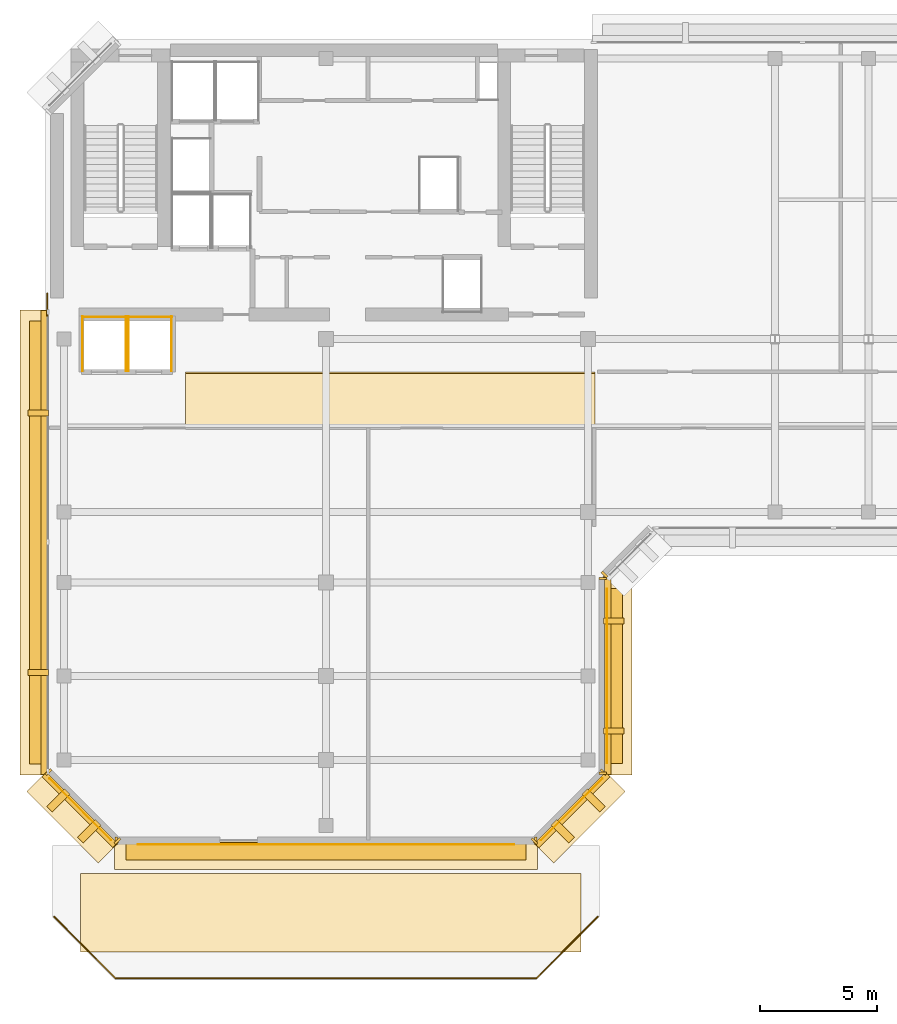
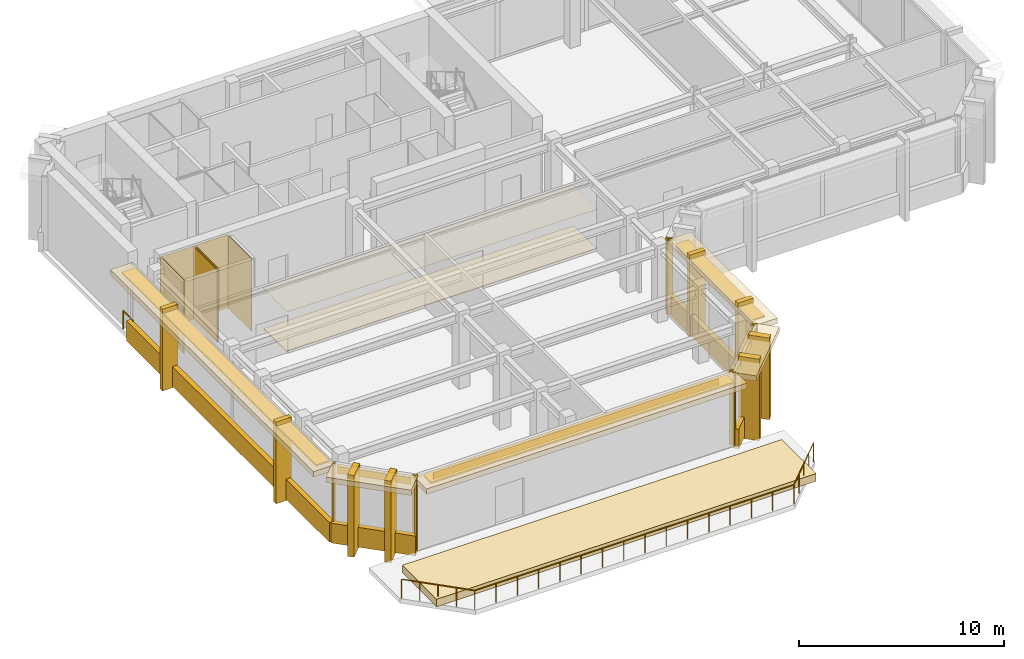
# One storey, part 7 of 11: 39 coverings, 3 shading devices, 2 railings.
"""IFC4 building model written with IfcOpenShell, lengths in metres."""

from ifc_helpers import new_model, si_unit, direction, frame, origin, origin_2d, place, context, subcontext, project, spatial, polyline, rectangle, circle, outline, extrude, material, layer, layer_set, type_object, element, save


model = new_model("IFC4")

# Units and contexts
model_context = context("Model", 3, precision=1e-05, world=origin(), true_north=direction((0.0, 1.0)))
body_context = subcontext(model_context, "Body", "Model", "MODEL_VIEW")
ifc_project = project(units=[si_unit("LENGTHUNIT", "METRE"), si_unit("AREAUNIT", "SQUARE_METRE"), si_unit("VOLUMEUNIT", "CUBIC_METRE"), si_unit("PLANEANGLEUNIT", "RADIAN"), si_unit("MASSUNIT", "GRAM", prefix="KILO")], contexts=[model_context])

# Site, building, storey
site_placement = place(None, origin())
site = spatial("IfcSite", under=ifc_project, at=site_placement, CompositionType="ELEMENT")
building_placement = place(site_placement, origin())
building = spatial("IfcBuilding", under=site, at=building_placement, Name="Kefirva Bronze Tower", CompositionType="ELEMENT")
storey_placement = place(building_placement, frame((0.0, 0.0, 347.489990234375)))
storey = spatial("IfcBuildingStorey", under=building, at=storey_placement, Name="L85", CompositionType="ELEMENT", Elevation=347.489990234375)

# Coverings
ifc_material_1 = material(Name="Acoustic mineral tile")
ifc_layer_1 = layer(ifc_material_1, 0.02490234375, Name="Acoustic mineral tile")
ifc_layer_set_1 = layer_set([ifc_layer_1], Name="Acoustic mineral tile")
covering_type_1 = type_object("IfcCoveringType", Name="Acoustic Mineral Suspended Ceiling 25mm", PredefinedType="CEILING", material=ifc_layer_set_1)
covering_1_placement = place(storey_placement, frame((0.0, 0.0, 2.39990234375)))
element("IfcCovering", 1, at=covering_1_placement, inside=storey, type_object=covering_type_1, Name="L85 Corridor Acoustic Ceiling", PredefinedType="CEILING", context=body_context, shape_type="SweptSolid", body=[
    extrude(outline(polyline([(6.0, 29.39990234375), (23.5, 29.39990234375), (23.5, 31.800048828125), (6.0, 31.800048828125), (6.0, 29.39990234375)])), origin(), (0.0, 0.0, 1.0), 0.025146484375),
])
ifc_material_2 = material(Name="Bronze anodised aluminium", Category="aluminium")
ifc_layer_2 = layer(ifc_material_2, 0.02001953125, Name="Bronze anodised aluminium")
ifc_layer_set_2 = layer_set([ifc_layer_2], Name="Bronze anodised aluminium")
covering_type_2 = type_object("IfcCoveringType", Name="Anodised Bronze Spandrel Cladding 20mm", PredefinedType="CLADDING", material=ifc_layer_set_2)
covering_2_placement = place(storey_placement, frame((12.0, 11.590087890625, 3.949951171875), z_axis=(0.0, 0.0, 1.0), x_axis=(1.0, 0.0, 0.0)))
element("IfcCovering", 2, at=covering_2_placement, inside=storey, type_object=covering_type_2, Name="L85 Bronze Spandrel Cladding 1", PredefinedType="CLADDING", context=body_context, shape_type="SweptSolid", body=[
    extrude(rectangle(XDim=16.10107421875, YDim=0.02001953125, at=origin_2d()), origin(), (0.0, 0.0, 1.0), 0.39990234375),
])
for number, where, z_axis, x_axis, name in (
    (3, (3.034912109375, 11.760009765625, 0.0), (0.0, 0.0, 1.0), (1.0, 0.0, 0.0), "L85 Facade Joint Closure Panel 1S"),
    (4, (20.965087890625, 11.760009765625, 0.0), (0.0, 0.0, 1.0), (1.0, 0.0, 0.0), "L85 Facade Joint Closure Panel 1E"),
):
    element("IfcCovering", number, at=place(storey_placement, frame(where, z_axis=z_axis, x_axis=x_axis)), inside=storey, type_object=covering_type_2, Name=name, PredefinedType="CLADDING", context=body_context, shape_type="SweptSolid", body=[
        extrude(rectangle(XDim=0.10009765625, YDim=0.320068359375, at=origin_2d()), origin(), (0.0, 0.0, 1.0), 4.3701171875),
    ])
covering_3_placement = place(storey_placement, frame((22.507080078125, 13.093017578125, 3.949951171875), z_axis=(0.0, 0.0, 1.0), x_axis=(0.707106781187, 0.707106781187, 0.0)))
element("IfcCovering", 5, at=covering_3_placement, inside=storey, type_object=covering_type_2, Name="L85 Bronze Spandrel Cladding 2", PredefinedType="CLADDING", context=body_context, shape_type="SweptSolid", body=[
    extrude(rectangle(XDim=3.719482421875, YDim=0.02001953125, at=origin_2d()), origin(), (0.0, 0.0, 1.0), 0.39990234375),
])
for number, where, z_axis, x_axis, name in (
    (6, (20.91162109375, 11.73779296875, 0.0), (0.0, 0.0, 1.0), (0.707106781187, 0.707106781187, 0.0), "L85 Facade Joint Closure Panel 2S"),
    (7, (23.862060546875, 14.688232421875, 0.0), (0.0, 0.0, 1.0), (0.707106781187, 0.707106781187, 0.0), "L85 Facade Joint Closure Panel 2E"),
):
    element("IfcCovering", number, at=place(storey_placement, frame(where, z_axis=z_axis, x_axis=x_axis)), inside=storey, type_object=covering_type_2, Name=name, PredefinedType="CLADDING", context=body_context, shape_type="SweptSolid", body=[
        extrude(rectangle(XDim=0.10009765625, YDim=0.320068359375, at=origin_2d()), origin(), (0.0, 0.0, 1.0), 4.3701171875),
    ])
covering_4_placement = place(storey_placement, frame((22.5283203125, 13.07177734375, -0.16015625), z_axis=(0.0, 0.0, 1.0), x_axis=(0.707106781187, 0.707106781187, 0.0)))
element("IfcCovering", 8, at=covering_4_placement, inside=storey, type_object=covering_type_2, Name="L85 Streamline Horizontal Spandrel Band 1", PredefinedType="CLADDING", context=body_context, shape_type="SweptSolid", body=[
    extrude(rectangle(XDim=4.28271484375, YDim=0.280029296875, at=origin_2d()), origin(), (0.0, 0.0, 1.0), 1.179931640625),
])
covering_5_placement = place(storey_placement, frame((24.010009765625, 18.800048828125, 3.949951171875), z_axis=(0.0, 0.0, 1.0), x_axis=(0.0, 1.0, 0.0)))
element("IfcCovering", 9, at=covering_5_placement, inside=storey, type_object=covering_type_2, Name="L85 Bronze Spandrel Cladding 3", PredefinedType="CLADDING", context=body_context, shape_type="SweptSolid", body=[
    extrude(rectangle(XDim=7.4609375, YDim=0.02001953125, at=origin_2d()), origin(), (0.0, 0.0, 1.0), 0.39990234375),
])
for number, where, z_axis, x_axis, name in (
    (10, (23.840087890625, 14.635009765625, 0.0), (0.0, 0.0, 1.0), (0.0, 1.0, 0.0), "L85 Facade Joint Closure Panel 3S"),
    (11, (23.840087890625, 22.965087890625, 0.0), (0.0, 0.0, 1.0), (0.0, 1.0, 0.0), "L85 Facade Joint Closure Panel 3E"),
):
    element("IfcCovering", number, at=place(storey_placement, frame(where, z_axis=z_axis, x_axis=x_axis)), inside=storey, type_object=covering_type_2, Name=name, PredefinedType="CLADDING", context=body_context, shape_type="SweptSolid", body=[
        extrude(rectangle(XDim=0.10009765625, YDim=0.320068359375, at=origin_2d()), origin(), (0.0, 0.0, 1.0), 4.3701171875),
    ])
covering_6_placement = place(storey_placement, frame((24.0400390625, 18.800048828125, -0.16015625), z_axis=(0.0, 0.0, 1.0), x_axis=(0.0, 1.0, 0.0)))
element("IfcCovering", 12, at=covering_6_placement, inside=storey, type_object=covering_type_2, Name="L85 Streamline Horizontal Spandrel Band 2", PredefinedType="CLADDING", context=body_context, shape_type="SweptSolid", body=[
    extrude(rectangle(XDim=8.43994140625, YDim=0.280029296875, at=origin_2d()), origin(), (0.0, 0.0, 1.0), 1.179931640625),
])
covering_7_placement = place(storey_placement, frame((23.91162109375, 23.137939453125, 0.0), z_axis=(0.0, 0.0, 1.0), x_axis=(0.707106781187, 0.707106781187, 0.0)))
element("IfcCovering", 13, at=covering_7_placement, inside=storey, type_object=covering_type_2, Name="L85 Facade Joint Closure Panel 4S", PredefinedType="CLADDING", context=body_context, shape_type="SweptSolid", body=[
    extrude(rectangle(XDim=0.10009765625, YDim=0.320068359375, at=origin_2d()), origin(), (0.0, 0.0, 1.0), 4.3701171875),
])
covering_8_placement = place(storey_placement, frame((-0.0400390625, 24.49755859375, -0.16015625), z_axis=(0.0, 0.0, 1.0), x_axis=(0.0, -1.0, 0.0)))
element("IfcCovering", 14, at=covering_8_placement, inside=storey, type_object=covering_type_2, Name="L85 Streamline Horizontal Spandrel Band 10", PredefinedType="CLADDING", context=body_context, shape_type="SweptSolid", body=[
    extrude(rectangle(XDim=19.8349609375, YDim=0.280029296875, at=origin_2d()), origin(), (0.0, 0.0, 1.0), 1.179931640625),
])
covering_9_placement = place(storey_placement, frame((1.492919921875, 13.093017578125, 3.949951171875), z_axis=(0.0, 0.0, 1.0), x_axis=(0.707106781187, -0.707106781187, 0.0)))
element("IfcCovering", 15, at=covering_9_placement, inside=storey, type_object=covering_type_2, Name="L85 Bronze Spandrel Cladding 8", PredefinedType="CLADDING", context=body_context, shape_type="SweptSolid", body=[
    extrude(rectangle(XDim=3.719482421875, YDim=0.02001953125, at=origin_2d()), origin(), (0.0, 0.0, 1.0), 0.39990234375),
])
for number, where, z_axis, x_axis, name in (
    (16, (0.137939453125, 14.688232421875, 0.0), (0.0, 0.0, 1.0), (0.707106781187, -0.707106781187, 0.0), "L85 Facade Joint Closure Panel 8S"),
    (17, (3.08837890625, 11.73779296875, 0.0), (0.0, 0.0, 1.0), (0.707106781187, -0.707106781187, 0.0), "L85 Facade Joint Closure Panel 8E"),
):
    element("IfcCovering", number, at=place(storey_placement, frame(where, z_axis=z_axis, x_axis=x_axis)), inside=storey, type_object=covering_type_2, Name=name, PredefinedType="CLADDING", context=body_context, shape_type="SweptSolid", body=[
        extrude(rectangle(XDim=0.10009765625, YDim=0.320068359375, at=origin_2d()), origin(), (0.0, 0.0, 1.0), 4.3701171875),
    ])
covering_10_placement = place(storey_placement, frame((1.4716796875, 13.07177734375, -0.16015625), z_axis=(0.0, 0.0, 1.0), x_axis=(0.707106781187, -0.707106781187, 0.0)))
element("IfcCovering", 18, at=covering_10_placement, inside=storey, type_object=covering_type_2, Name="L85 Streamline Horizontal Spandrel Band 11", PredefinedType="CLADDING", context=body_context, shape_type="SweptSolid", body=[
    extrude(rectangle(XDim=4.28271484375, YDim=0.280029296875, at=origin_2d()), origin(), (0.0, 0.0, 1.0), 1.179931640625),
])
covering_11_placement = place(storey_placement, origin())
element("IfcCovering", 19, at=covering_11_placement, inside=storey, type_object=covering_type_2, Name="L85 Lift OB1 Hoistway Liner N", PredefinedType="CLADDING", context=body_context, shape_type="SweptSolid", body=[
    extrude(outline(polyline([(1.580078125, 34.139892578125), (3.469970703125, 34.139892578125), (3.469970703125, 34.159912109375), (1.580078125, 34.159912109375), (1.580078125, 34.139892578125)])), origin(), (0.0, 0.0, 1.0), 4.3701171875),
])
covering_12_placement = place(storey_placement, origin())
element("IfcCovering", 20, at=covering_12_placement, inside=storey, type_object=covering_type_2, Name="L85 Lift OB1 Hoistway Liner W", PredefinedType="CLADDING", context=body_context, shape_type="SweptSolid", body=[
    extrude(outline(polyline([(1.590087890625, 31.830078125), (1.610107421875, 31.830078125), (1.610107421875, 34.169921875), (1.590087890625, 34.169921875), (1.590087890625, 31.830078125)])), origin(), (0.0, 0.0, 1.0), 4.3701171875),
])
covering_13_placement = place(storey_placement, origin())
element("IfcCovering", 21, at=covering_13_placement, inside=storey, type_object=covering_type_2, Name="L85 Lift OB1 Hoistway Liner E", PredefinedType="CLADDING", context=body_context, shape_type="SweptSolid", body=[
    extrude(outline(polyline([(3.43994140625, 31.830078125), (3.4599609375, 31.830078125), (3.4599609375, 34.169921875), (3.43994140625, 34.169921875), (3.43994140625, 31.830078125)])), origin(), (0.0, 0.0, 1.0), 4.3701171875),
])
covering_14_placement = place(storey_placement, origin())
element("IfcCovering", 22, at=covering_14_placement, inside=storey, type_object=covering_type_2, Name="L85 Lift OB2 Hoistway Liner N", PredefinedType="CLADDING", context=body_context, shape_type="SweptSolid", body=[
    extrude(outline(polyline([(3.530029296875, 34.139892578125), (5.419921875, 34.139892578125), (5.419921875, 34.159912109375), (3.530029296875, 34.159912109375), (3.530029296875, 34.139892578125)])), origin(), (0.0, 0.0, 1.0), 4.3701171875),
])
covering_15_placement = place(storey_placement, origin())
element("IfcCovering", 23, at=covering_15_placement, inside=storey, type_object=covering_type_2, Name="L85 Lift OB2 Hoistway Liner W", PredefinedType="CLADDING", context=body_context, shape_type="SweptSolid", body=[
    extrude(outline(polyline([(3.5400390625, 31.830078125), (3.56005859375, 31.830078125), (3.56005859375, 34.169921875), (3.5400390625, 34.169921875), (3.5400390625, 31.830078125)])), origin(), (0.0, 0.0, 1.0), 4.3701171875),
])
covering_16_placement = place(storey_placement, origin())
element("IfcCovering", 24, at=covering_16_placement, inside=storey, type_object=covering_type_2, Name="L85 Lift OB2 Hoistway Liner E", PredefinedType="CLADDING", context=body_context, shape_type="SweptSolid", body=[
    extrude(outline(polyline([(5.389892578125, 31.830078125), (5.409912109375, 31.830078125), (5.409912109375, 34.169921875), (5.389892578125, 34.169921875), (5.389892578125, 31.830078125)])), origin(), (0.0, 0.0, 1.0), 4.3701171875),
])

# Railing
railing_type_1 = type_object("IfcRailingType", Name="Exterior Ship-Deck Terrace Guardrail 1150mm", PredefinedType="GUARDRAIL", material=ifc_material_2)
railing_1_placement = place(storey_placement, frame((0.3798828125, 8.5, 0.0)))
element("IfcRailing", 25, at=railing_1_placement, inside=storey, type_object=railing_type_1, Name="L85 Terrace Perimeter Guardrail", PredefinedType="GUARDRAIL", context=body_context, shape_type="SweptSolid", body=[
    extrude(circle(Radius=0.02392578125, at=origin_2d()), frame((0.0, 0.0, 1.1259765625), z_axis=(0.707106781187, -0.707106781187, 0.0), x_axis=(0.707106781187, 0.707106781187, 0.0)), (0.0, 0.0, 1.0), 3.705322265625),
    extrude(circle(Radius=0.02392578125, at=origin_2d()), frame((2.6201171875, -2.6201171875, 1.1259765625), z_axis=(1.0, 0.0, 0.0), x_axis=(0.0, 1.0, 0.0)), (0.0, 0.0, 1.0), 18.0),
    extrude(circle(Radius=0.02392578125, at=origin_2d()), frame((20.6201171875, -2.6201171875, 1.1259765625), z_axis=(0.707106781187, 0.707106781187, 0.0), x_axis=(-0.707106781187, 0.707106781187, 0.0)), (0.0, 0.0, 1.0), 3.705322265625),
    extrude(circle(Radius=0.02099609375, at=origin_2d()), origin(), (0.0, 0.0, 1.0), 1.101806640625),
    extrude(circle(Radius=0.02099609375, at=origin_2d()), frame((0.655029296875, -0.655029296875, 0.0)), (0.0, 0.0, 1.0), 1.101806640625),
    extrude(circle(Radius=0.02099609375, at=origin_2d()), frame((1.31005859375, -1.31005859375, 0.0)), (0.0, 0.0, 1.0), 1.101806640625),
    extrude(circle(Radius=0.02099609375, at=origin_2d()), frame((1.965087890625, -1.965087890625, 0.0)), (0.0, 0.0, 1.0), 1.101806640625),
    extrude(circle(Radius=0.02099609375, at=origin_2d()), frame((2.6201171875, -2.6201171875, 0.0)), (0.0, 0.0, 1.0), 1.101806640625),
    extrude(circle(Radius=0.02099609375, at=origin_2d()), frame((3.820068359375, -2.6201171875, 0.0)), (0.0, 0.0, 1.0), 1.101806640625),
    extrude(circle(Radius=0.02099609375, at=origin_2d()), frame((5.02001953125, -2.6201171875, 0.0)), (0.0, 0.0, 1.0), 1.101806640625),
    extrude(circle(Radius=0.02099609375, at=origin_2d()), frame((6.22021484375, -2.6201171875, 0.0)), (0.0, 0.0, 1.0), 1.101806640625),
    extrude(circle(Radius=0.02099609375, at=origin_2d()), frame((7.420166015625, -2.6201171875, 0.0)), (0.0, 0.0, 1.0), 1.101806640625),
    extrude(circle(Radius=0.02099609375, at=origin_2d()), frame((8.6201171875, -2.6201171875, 0.0)), (0.0, 0.0, 1.0), 1.101806640625),
    extrude(circle(Radius=0.02099609375, at=origin_2d()), frame((9.820068359375, -2.6201171875, 0.0)), (0.0, 0.0, 1.0), 1.101806640625),
    extrude(circle(Radius=0.02099609375, at=origin_2d()), frame((11.02001953125, -2.6201171875, 0.0)), (0.0, 0.0, 1.0), 1.101806640625),
    extrude(circle(Radius=0.02099609375, at=origin_2d()), frame((12.22021484375, -2.6201171875, 0.0)), (0.0, 0.0, 1.0), 1.101806640625),
    extrude(circle(Radius=0.02099609375, at=origin_2d()), frame((13.420166015625, -2.6201171875, 0.0)), (0.0, 0.0, 1.0), 1.101806640625),
    extrude(circle(Radius=0.02099609375, at=origin_2d()), frame((14.6201171875, -2.6201171875, 0.0)), (0.0, 0.0, 1.0), 1.101806640625),
    extrude(circle(Radius=0.02099609375, at=origin_2d()), frame((15.820068359375, -2.6201171875, 0.0)), (0.0, 0.0, 1.0), 1.101806640625),
    extrude(circle(Radius=0.02099609375, at=origin_2d()), frame((17.02001953125, -2.6201171875, 0.0)), (0.0, 0.0, 1.0), 1.101806640625),
    extrude(circle(Radius=0.02099609375, at=origin_2d()), frame((18.22021484375, -2.6201171875, 0.0)), (0.0, 0.0, 1.0), 1.101806640625),
    extrude(circle(Radius=0.02099609375, at=origin_2d()), frame((19.420166015625, -2.6201171875, 0.0)), (0.0, 0.0, 1.0), 1.101806640625),
    extrude(circle(Radius=0.02099609375, at=origin_2d()), frame((20.6201171875, -2.6201171875, 0.0)), (0.0, 0.0, 1.0), 1.101806640625),
    extrude(circle(Radius=0.02099609375, at=origin_2d()), frame((21.275146484375, -1.965087890625, 0.0)), (0.0, 0.0, 1.0), 1.101806640625),
    extrude(circle(Radius=0.02099609375, at=origin_2d()), frame((21.93017578125, -1.31005859375, 0.0)), (0.0, 0.0, 1.0), 1.101806640625),
    extrude(circle(Radius=0.02099609375, at=origin_2d()), frame((22.585205078125, -0.655029296875, 0.0)), (0.0, 0.0, 1.0), 1.101806640625),
    extrude(circle(Radius=0.02099609375, at=origin_2d()), frame((23.240234375, 0.0, 0.0)), (0.0, 0.0, 1.0), 1.101806640625),
])

# Covering
ifc_material_3 = material(Name="Honed basalt stone paver", Category="masonry")
ifc_layer_3 = layer(ifc_material_3, 0.034912109375, Name="Honed basalt stone paver")
ifc_layer_set_3 = layer_set([ifc_layer_3], Name="Honed basalt stone paver")
covering_type_3 = type_object("IfcCoveringType", Name="Honed Basalt Concourse Flooring 35mm", PredefinedType="FLOORING", material=ifc_layer_set_3)
covering_17_placement = place(storey_placement, origin())
element("IfcCovering", 26, at=covering_17_placement, inside=storey, type_object=covering_type_3, Name="L85 Architectural Finish Flooring", PredefinedType="FLOORING", context=body_context, shape_type="SweptSolid", body=[
    extrude(outline(polyline([(6.0, 29.47998046875), (23.5, 29.47998046875), (23.5, 31.719970703125), (6.0, 31.719970703125), (6.0, 29.47998046875)])), origin(), (0.0, 0.0, 1.0), 0.034912109375),
])

# Shading devices
ifc_layer_4 = layer(ifc_material_2, 0.090087890625, Name="Bronze anodised aluminium")
ifc_layer_set_4 = layer_set([ifc_layer_4], Name="Bronze anodised aluminium")
shading_device_type = type_object("IfcShadingDeviceType", Name="Horizontal Bronze Sunshade Band 750mm", PredefinedType="JALOUSIE", material=ifc_layer_set_4)
shading_device_1_placement = place(storey_placement, frame((12.0, 11.304931640625, 4.26513671875), z_axis=(0.0, 0.0, 1.0), x_axis=(1.0, 0.0, 0.0)))
element("IfcShadingDevice", 27, at=shading_device_1_placement, inside=storey, type_object=shading_device_type, Name="L85 Horizontal Bronze Sunshade Band 0", PredefinedType="JALOUSIE", context=body_context, shape_type="SweptSolid", body=[
    extrude(rectangle(XDim=17.090087890625, YDim=0.75, at=origin_2d()), origin(), (0.0, 0.0, 1.0), 0.090087890625),
])
shading_device_2_placement = place(storey_placement, frame((24.294921875, 18.800048828125, 4.26513671875), z_axis=(0.0, 0.0, 1.0), x_axis=(0.0, 1.0, 0.0)))
element("IfcShadingDevice", 28, at=shading_device_2_placement, inside=storey, type_object=shading_device_type, Name="L85 Horizontal Bronze Sunshade Band 2", PredefinedType="JALOUSIE", context=body_context, shape_type="SweptSolid", body=[
    extrude(rectangle(XDim=7.489990234375, YDim=0.75, at=origin_2d()), origin(), (0.0, 0.0, 1.0), 0.090087890625),
])
shading_device_3_placement = place(storey_placement, frame((-0.294921875, 24.49755859375, 4.26513671875), z_axis=(0.0, 0.0, 1.0), x_axis=(0.0, -1.0, 0.0)))
element("IfcShadingDevice", 29, at=shading_device_3_placement, inside=storey, type_object=shading_device_type, Name="L85 Horizontal Bronze Sunshade Band 10", PredefinedType="JALOUSIE", context=body_context, shape_type="SweptSolid", body=[
    extrude(rectangle(XDim=18.93994140625, YDim=0.75, at=origin_2d()), origin(), (0.0, 0.0, 1.0), 0.090087890625),
])

# Railing
ifc_material_4 = material(Name="Stainless steel 316", Category="steel")
railing_type_2 = type_object("IfcRailingType", Name="Interior Stair Guardrail 1100mm", PredefinedType="GUARDRAIL", material=ifc_material_4)
railing_2_placement = place(storey_placement, frame((0.080078125, 34.199951171875, 0.0)))
element("IfcRailing", 30, at=railing_2_placement, inside=storey, type_object=railing_type_2, Name="L85 West Core Junction Guardrail", PredefinedType="GUARDRAIL", context=body_context, shape_type="SweptSolid", body=[
    extrude(circle(Radius=0.02392578125, at=origin_2d()), frame((0.0, 0.0, 1.076171875), z_axis=(0.0, 1.0, 0.0), x_axis=(-1.0, 0.0, 0.0)), (0.0, 0.0, 1.0), 0.949951171875),
    extrude(circle(Radius=0.02099609375, at=origin_2d()), origin(), (0.0, 0.0, 1.0), 1.052001953125),
    extrude(circle(Radius=0.02099609375, at=origin_2d()), frame((0.0, 0.949951171875, 0.0)), (0.0, 0.0, 1.0), 1.052001953125),
])

# Coverings
ifc_material_5 = material(Name="Planted sky-garden soil substrate")
ifc_layer_5 = layer(ifc_material_5, 0.449951171875, Name="Planted sky-garden soil substrate")
ifc_layer_set_5 = layer_set([ifc_layer_5], Name="Planted sky-garden soil substrate")
covering_type_4 = type_object("IfcCoveringType", Name="Sky-Garden Planted Substrate Bed 450mm", PredefinedType="USERDEFINED", material=ifc_layer_set_5)
covering_18_placement = place(storey_placement, origin())
element("IfcCovering", 31, at=covering_18_placement, inside=storey, type_object=covering_type_4, Name="L85 Sky-Garden Planter Bed", ObjectType="PLANTER", PredefinedType="USERDEFINED", context=body_context, shape_type="SweptSolid", body=[
    extrude(outline(polyline([(1.5, 7.0), (22.89990234375, 7.0), (22.89990234375, 10.35009765625), (1.5, 10.35009765625), (1.5, 7.0)])), origin(), (0.0, 0.0, 1.0), 0.449951171875),
])
ifc_layer_6 = layer(ifc_material_2, 0.179931640625, Name="Bronze anodised aluminium")
ifc_layer_set_6 = layer_set([ifc_layer_6], Name="Bronze anodised aluminium")
covering_type_5 = type_object("IfcCoveringType", Name="Streamline Bronze Sunshade Eyebrow Cladding 180mm", PredefinedType="CLADDING", material=ifc_layer_set_6)
covering_19_placement = place(storey_placement, frame((12.0, 11.139892578125, 4.0498046875), z_axis=(0.0, 0.0, 1.0), x_axis=(1.0, 0.0, 0.0)))
element("IfcCovering", 32, at=covering_19_placement, inside=storey, type_object=covering_type_5, Name="L85 Streamline Bronze Sunshade Eyebrow 0", PredefinedType="CLADDING", context=body_context, shape_type="SweptSolid", body=[
    extrude(rectangle(XDim=18.080078125, YDim=1.239990234375, at=origin_2d()), origin(), (0.0, 0.0, 1.0), 0.320068359375),
])
covering_20_placement = place(storey_placement, frame((22.8251953125, 12.774658203125, 4.0498046875), z_axis=(0.0, 0.0, 1.0), x_axis=(0.707106781187, 0.707106781187, 0.0)))
element("IfcCovering", 33, at=covering_20_placement, inside=storey, type_object=covering_type_5, Name="L85 Streamline Bronze Sunshade Eyebrow 1", PredefinedType="CLADDING", context=body_context, shape_type="SweptSolid", body=[
    extrude(rectangle(XDim=4.322509765625, YDim=1.239990234375, at=origin_2d()), origin(), (0.0, 0.0, 1.0), 0.320068359375),
])
covering_21_placement = place(storey_placement, frame((24.4599609375, 18.800048828125, 4.0498046875), z_axis=(0.0, 0.0, 1.0), x_axis=(0.0, 1.0, 0.0)))
element("IfcCovering", 34, at=covering_21_placement, inside=storey, type_object=covering_type_5, Name="L85 Streamline Bronze Sunshade Eyebrow 2", PredefinedType="CLADDING", context=body_context, shape_type="SweptSolid", body=[
    extrude(rectangle(XDim=8.47998046875, YDim=1.239990234375, at=origin_2d()), origin(), (0.0, 0.0, 1.0), 0.320068359375),
])
covering_22_placement = place(storey_placement, frame((-0.4599609375, 24.49755859375, 4.0498046875), z_axis=(0.0, 0.0, 1.0), x_axis=(0.0, -1.0, 0.0)))
element("IfcCovering", 35, at=covering_22_placement, inside=storey, type_object=covering_type_5, Name="L85 Streamline Bronze Sunshade Eyebrow 10", PredefinedType="CLADDING", context=body_context, shape_type="SweptSolid", body=[
    extrude(rectangle(XDim=19.875, YDim=1.239990234375, at=origin_2d()), origin(), (0.0, 0.0, 1.0), 0.320068359375),
])
covering_23_placement = place(storey_placement, frame((1.1748046875, 12.774658203125, 4.0498046875), z_axis=(0.0, 0.0, 1.0), x_axis=(0.707106781187, -0.707106781187, 0.0)))
element("IfcCovering", 36, at=covering_23_placement, inside=storey, type_object=covering_type_5, Name="L85 Streamline Bronze Sunshade Eyebrow 11", PredefinedType="CLADDING", context=body_context, shape_type="SweptSolid", body=[
    extrude(rectangle(XDim=4.322509765625, YDim=1.239990234375, at=origin_2d()), origin(), (0.0, 0.0, 1.0), 0.320068359375),
])
ifc_layer_7 = layer(ifc_material_2, 0.260009765625, Name="Bronze anodised aluminium")
ifc_layer_set_7 = layer_set([ifc_layer_7], Name="Bronze anodised aluminium")
covering_type_6 = type_object("IfcCoveringType", Name="Unbroken Bronze Buttress Fin Cladding 260mm", PredefinedType="CLADDING", material=ifc_layer_set_7)
for number, where, z_axis, x_axis, name in (
    (37, (22.122802734375, 12.1572265625, -0.25), (0.0, 0.0, 1.0), (0.707106781187, 0.707106781187, 0.0), "L85 Chamfered Corner Buttress Fin Cladding 1"),
    (38, (23.44287109375, 13.477294921875, -0.25), (0.0, 0.0, 1.0), (0.707106781187, 0.707106781187, 0.0), "L85 Chamfered Corner Buttress Fin Cladding 2"),
):
    element("IfcCovering", number, at=place(storey_placement, frame(where, z_axis=z_axis, x_axis=x_axis)), inside=storey, type_object=covering_type_6, Name=name, PredefinedType="CLADDING", context=body_context, shape_type="SweptSolid", body=[
        extrude(rectangle(XDim=0.340087890625, YDim=1.080078125, at=origin_2d()), origin(), (0.0, 0.0, 1.0), 4.8701171875),
    ])
for number, where, z_axis, x_axis, name in (
    (39, (24.300048828125, 16.447998046875, -0.25), (0.0, 0.0, 1.0), (0.0, 1.0, 0.0), "L85 Unbroken Vertical Bronze Rib Fin 3"),
    (40, (24.300048828125, 21.152099609375, -0.25), (0.0, 0.0, 1.0), (0.0, 1.0, 0.0), "L85 Unbroken Vertical Bronze Rib Fin 4"),
    (41, (-0.300048828125, 30.0400390625, -0.25), (0.0, 0.0, 1.0), (0.0, -1.0, 0.0), "L85 Unbroken Vertical Bronze Rib Fin 19"),
    (42, (-0.300048828125, 18.954833984375, -0.25), (0.0, 0.0, 1.0), (0.0, -1.0, 0.0), "L85 Unbroken Vertical Bronze Rib Fin 20"),
):
    element("IfcCovering", number, at=place(storey_placement, frame(where, z_axis=z_axis, x_axis=x_axis)), inside=storey, type_object=covering_type_6, Name=name, PredefinedType="CLADDING", context=body_context, shape_type="SweptSolid", body=[
        extrude(rectangle(XDim=0.260009765625, YDim=0.8798828125, at=origin_2d()), origin(), (0.0, 0.0, 1.0), 4.8701171875),
    ])
for number, where, z_axis, x_axis, name in (
    (43, (0.55712890625, 13.477294921875, -0.25), (0.0, 0.0, 1.0), (0.707106781187, -0.707106781187, 0.0), "L85 Chamfered Corner Buttress Fin Cladding 21"),
    (44, (1.877197265625, 12.1572265625, -0.25), (0.0, 0.0, 1.0), (0.707106781187, -0.707106781187, 0.0), "L85 Chamfered Corner Buttress Fin Cladding 22"),
):
    element("IfcCovering", number, at=place(storey_placement, frame(where, z_axis=z_axis, x_axis=x_axis)), inside=storey, type_object=covering_type_6, Name=name, PredefinedType="CLADDING", context=body_context, shape_type="SweptSolid", body=[
        extrude(rectangle(XDim=0.340087890625, YDim=1.080078125, at=origin_2d()), origin(), (0.0, 0.0, 1.0), 4.8701171875),
    ])

save(model, "model.ifc")
